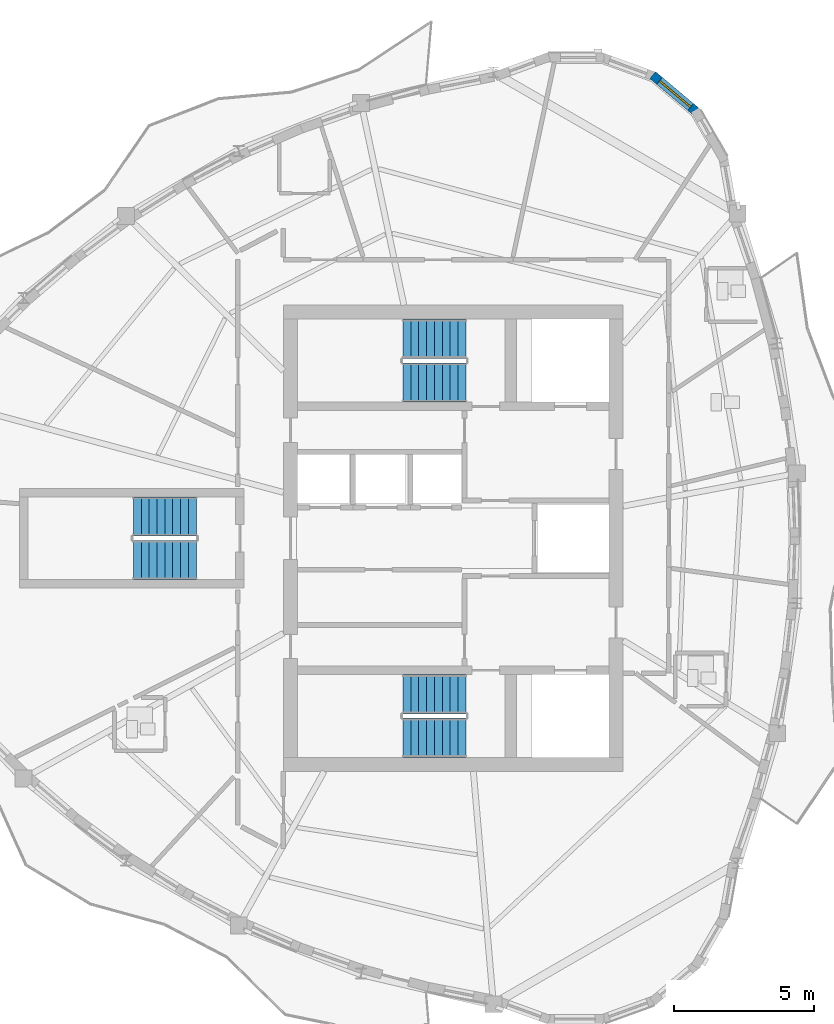
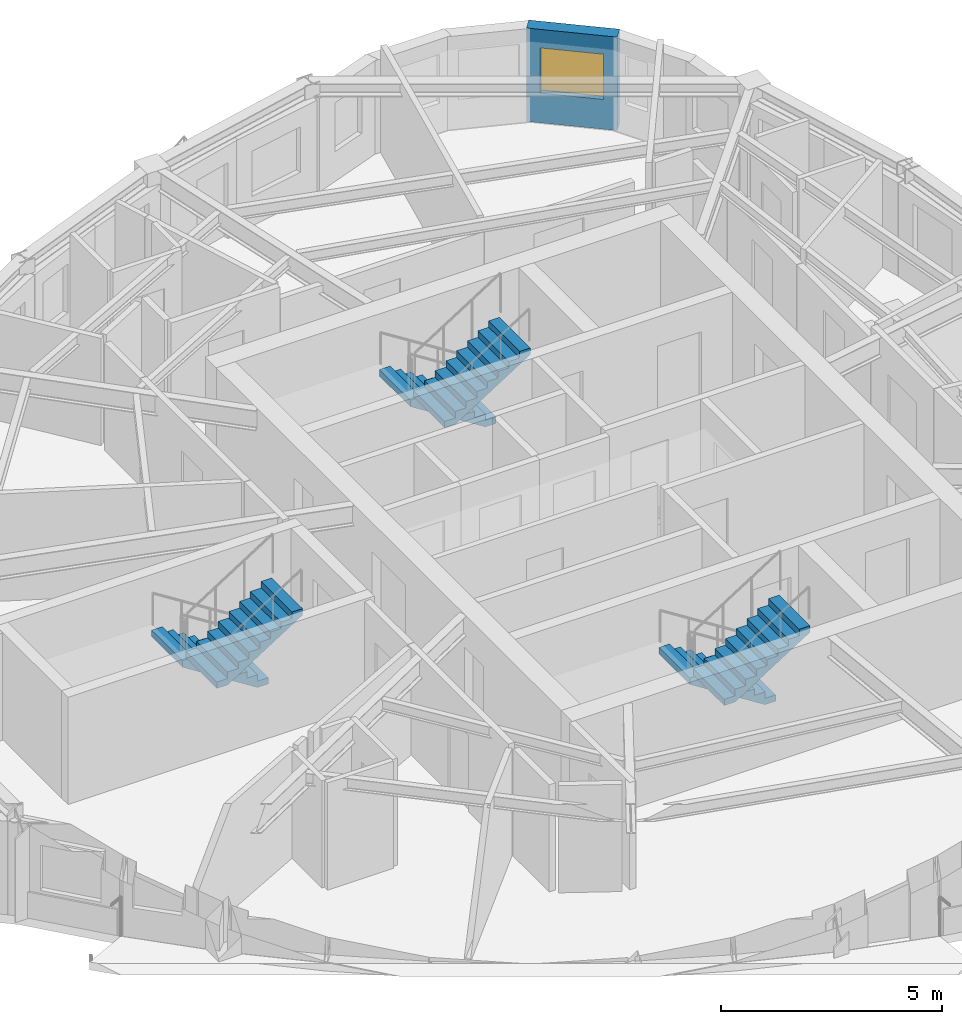
# One storey, part 8 of 12: 6 stair flights, 1 wall, 1 window, 1 opening, 3 elements without a shape of their own.
"""IFC4 building model written with IfcOpenShell, lengths in metres."""

from ifc_helpers import new_model, si_unit, direction, frame, frame_2d, origin, place, context, subcontext, project, spatial, polyline, rectangle, outline, extrude, source, transform, mapped, material, layer, layer_set, type_object, element, fill, aggregate, save


model = new_model("IFC4")

# Units and contexts
model_context = context("Model", 3, precision=1e-05, world=origin(), true_north=direction((0.0, 1.0)))
body_context = subcontext(model_context, "Body", "Model", "MODEL_VIEW")
ifc_project = project(units=[si_unit("LENGTHUNIT", "METRE"), si_unit("AREAUNIT", "SQUARE_METRE"), si_unit("VOLUMEUNIT", "CUBIC_METRE"), si_unit("PLANEANGLEUNIT", "RADIAN"), si_unit("MASSUNIT", "GRAM", prefix="KILO")], contexts=[model_context])

# Site, building, storey
site_placement = place(None, origin())
site = spatial("IfcSite", under=ifc_project, at=site_placement, CompositionType="ELEMENT")
building_placement = place(site_placement, origin())
building = spatial("IfcBuilding", under=site, at=building_placement, Name="Qafzar Sky-Pleat Residences", CompositionType="ELEMENT")
storey_placement = place(building_placement, frame((0.0, 0.0, 198.800048828125)))
storey = spatial("IfcBuildingStorey", under=building, at=storey_placement, Name="L59", CompositionType="ELEMENT", Elevation=198.800048828125)

# Wall, opening, window
ifc_material_1 = material(Name="Precast concrete C40/50 with honed Riyadh limestone", Category="concrete")
ifc_layer = layer(ifc_material_1, 0.320068359375)
ifc_layer_set = layer_set([ifc_layer], Name="Precast concrete C40/50 with honed Riyadh limestone")
wall_type = type_object("IfcWallType", Name="WALL-EXT-320", PredefinedType="SOLIDWALL", material=ifc_layer_set)
wall_placement = place(storey_placement, frame((39.04931640625, 41.1513671875, 0.0), z_axis=(0.0, 0.0, 1.0), x_axis=(-0.766082082368, 0.642742750308, 0.0)))
wall = element("IfcWall", 1, at=wall_placement, inside=storey, type_object=wall_type, Name="L59 Limestone Facade Wall 35", PredefinedType="SOLIDWALL", context=body_context, shape_type="SweptSolid", body=[
    extrude(rectangle(XDim=2.09033203125, YDim=0.320068359375, at=frame_2d((1.045166015625, 0.0))), origin(), (0.0, 0.0, 1.0), 2.579833984375),
])
opening_placement = place(wall_placement, frame((0.3203125, 0.0, 0.820068359375)))
opening = element("IfcOpeningElement", 2, at=opening_placement, cuts=wall, Name="Opening WN-15", PredefinedType="OPENING", context=body_context, shape_type="SweptSolid", body=[
    extrude(rectangle(XDim=1.449951171875, YDim=1.25, at=frame_2d((0.72509765625, 0.625))), frame((0.0, 0.169921875, 0.0), z_axis=(0.0, -1.0, 0.0), x_axis=(1.0, 0.0, 0.0)), (0.0, 0.0, 1.0), 0.340087890625),
])
ifc_material_2 = material(Name="Solar-control low-E glass in bronze aluminium frame", Category="glass")
window_type = type_object("IfcWindowType", Name="WIN-15", PartitioningType="SINGLE_PANEL", PredefinedType="WINDOW", material=ifc_material_2)
shared_shape_1 = source(origin(), body_context, "Body", "SweptSolid", [
    extrude(rectangle(XDim=1.449951171875, YDim=1.25, at=frame_2d((0.72509765625, 0.625))), frame((0.0, 0.030029296875, 0.0), z_axis=(0.0, -1.0, 0.0), x_axis=(1.0, 0.0, 0.0)), (0.0, 0.0, 1.0), 0.06005859375),
])
window_placement = place(opening_placement, origin())
window = element("IfcWindow", 3, at=window_placement, inside=storey, type_object=window_type, Name="L59 Punched Facade Window 35", OverallHeight=1.25, OverallWidth=1.449951171875, PartitioningType="SINGLE_PANEL", PredefinedType="WINDOW", context=body_context, shape_type="MappedRepresentation", body=[
    mapped(shared_shape_1, transform((0.0, 0.0, 0.0), x_axis=(1.0, 0.0, 0.0), y_axis=(0.0, 1.0, 0.0), z_axis=(0.0, 0.0, 1.0), scale=1.0)),
])
fill(opening, window)

# Stair, stair flights
ifc_material_3 = material(Name="Concrete C40/50", Category="concrete")
stair_type = type_object("IfcStairType", Name="STAIR-H320", PredefinedType="HALF_TURN_STAIR", material=ifc_material_3)
stair_1_placement = place(storey_placement, origin())
stair_1 = element("IfcStair", 4, at=stair_1_placement, inside=storey, type_object=stair_type, Name="L59 Protected Exit Stair ST1", PredefinedType="HALF_TURN_STAIR")
stair_flight_type = type_object("IfcStairFlightType", Name="FLIGHT-H320", PredefinedType="STRAIGHT", material=ifc_material_3)
shared_shape_2 = source(origin(), body_context, "Body", "SweptSolid", [
    extrude(outline(polyline([(0.0, 0.0), (0.0, 0.177734375), (0.280029296875, 0.177734375), (0.280029296875, 0.35546875), (0.56005859375, 0.35546875), (0.56005859375, 0.533447265625), (0.840087890625, 0.533447265625), (0.840087890625, 0.711181640625), (1.1201171875, 0.711181640625), (1.1201171875, 0.888916015625), (1.39990234375, 0.888916015625), (1.39990234375, 1.066650390625), (1.679931640625, 1.066650390625), (1.679931640625, 1.244384765625), (1.9599609375, 1.244384765625), (1.9599609375, 1.422119140625), (2.239990234375, 1.422119140625), (2.239990234375, 1.60009765625), (2.239990234375, 1.24462890625), (0.27978515625, 0.0), (0.0, 0.0)])), frame((0.0, 0.699951171875, 0.0), z_axis=(0.0, -1.0, 0.0), x_axis=(1.0, 0.0, 0.0)), (0.0, 0.0, 1.0), 1.39990234375),
])
stair_flight_1_placement = place(storey_placement, frame((30.800048828125, 20.449951171875, 0.0), z_axis=(0.0, 0.0, 1.0), x_axis=(-1.0, 0.0, 0.0)))
stair_flight_1 = element("IfcStairFlight", 5, at=stair_flight_1_placement, type_object=stair_flight_type, Name="ST1 flight 1", NumberOfRisers=9, NumberOfTreads=8, PredefinedType="STRAIGHT", RiserHeight=0.177777778, TreadLength=0.28, context=body_context, shape_type="MappedRepresentation", body=[
    mapped(shared_shape_2, transform((0.0, 0.0, 0.0), x_axis=(1.0, 0.0, 0.0), y_axis=(0.0, 1.0, 0.0), z_axis=(0.0, 0.0, 1.0), scale=1.0)),
])
stair_flight_2_placement = place(storey_placement, frame((28.56005859375, 18.89990234375, 1.599853515625), z_axis=(0.0, 0.0, 1.0), x_axis=(1.0, 0.0, 0.0)))
stair_flight_2 = element("IfcStairFlight", 6, at=stair_flight_2_placement, type_object=stair_flight_type, Name="ST1 flight 2", NumberOfRisers=9, NumberOfTreads=8, PredefinedType="STRAIGHT", RiserHeight=0.177777778, TreadLength=0.28, context=body_context, shape_type="MappedRepresentation", body=[
    mapped(shared_shape_2, transform((0.0, 0.0, 0.0), x_axis=(1.0, 0.0, 0.0), y_axis=(0.0, 1.0, 0.0), z_axis=(0.0, 0.0, 1.0), scale=1.0)),
])
aggregate(stair_1, [stair_flight_1, stair_flight_2])

stair_2_placement = place(storey_placement, origin())
stair_2 = element("IfcStair", 7, at=stair_2_placement, inside=storey, type_object=stair_type, Name="L59 Protected Exit Stair ST2", PredefinedType="HALF_TURN_STAIR")
stair_flight_3_placement = place(storey_placement, frame((30.800048828125, 33.10009765625, 0.0), z_axis=(0.0, 0.0, 1.0), x_axis=(-1.0, 0.0, 0.0)))
stair_flight_3 = element("IfcStairFlight", 8, at=stair_flight_3_placement, type_object=stair_flight_type, Name="ST2 flight 1", NumberOfRisers=9, NumberOfTreads=8, PredefinedType="STRAIGHT", RiserHeight=0.177777778, TreadLength=0.28, context=body_context, shape_type="MappedRepresentation", body=[
    mapped(shared_shape_2, transform((0.0, 0.0, 0.0), x_axis=(1.0, 0.0, 0.0), y_axis=(0.0, 1.0, 0.0), z_axis=(0.0, 0.0, 1.0), scale=1.0)),
])
stair_flight_4_placement = place(storey_placement, frame((28.56005859375, 31.550048828125, 1.599853515625), z_axis=(0.0, 0.0, 1.0), x_axis=(1.0, 0.0, 0.0)))
stair_flight_4 = element("IfcStairFlight", 9, at=stair_flight_4_placement, type_object=stair_flight_type, Name="ST2 flight 2", NumberOfRisers=9, NumberOfTreads=8, PredefinedType="STRAIGHT", RiserHeight=0.177777778, TreadLength=0.28, context=body_context, shape_type="MappedRepresentation", body=[
    mapped(shared_shape_2, transform((0.0, 0.0, 0.0), x_axis=(1.0, 0.0, 0.0), y_axis=(0.0, 1.0, 0.0), z_axis=(0.0, 0.0, 1.0), scale=1.0)),
])
aggregate(stair_2, [stair_flight_3, stair_flight_4])

stair_3_placement = place(storey_placement, origin())
stair_3 = element("IfcStair", 10, at=stair_3_placement, inside=storey, type_object=stair_type, Name="L59 Protected Exit Stair ST3", PredefinedType="HALF_TURN_STAIR")
stair_flight_5_placement = place(storey_placement, frame((21.199951171875, 26.77490234375, 0.0), z_axis=(0.0, 0.0, 1.0), x_axis=(-1.0, 0.0, 0.0)))
stair_flight_5 = element("IfcStairFlight", 11, at=stair_flight_5_placement, type_object=stair_flight_type, Name="ST3 flight 1", NumberOfRisers=9, NumberOfTreads=8, PredefinedType="STRAIGHT", RiserHeight=0.177777778, TreadLength=0.28, context=body_context, shape_type="MappedRepresentation", body=[
    mapped(shared_shape_2, transform((0.0, 0.0, 0.0), x_axis=(1.0, 0.0, 0.0), y_axis=(0.0, 1.0, 0.0), z_axis=(0.0, 0.0, 1.0), scale=1.0)),
])
stair_flight_6_placement = place(storey_placement, frame((18.9599609375, 25.22509765625, 1.599853515625), z_axis=(0.0, 0.0, 1.0), x_axis=(1.0, 0.0, 0.0)))
stair_flight_6 = element("IfcStairFlight", 12, at=stair_flight_6_placement, type_object=stair_flight_type, Name="ST3 flight 2", NumberOfRisers=9, NumberOfTreads=8, PredefinedType="STRAIGHT", RiserHeight=0.177777778, TreadLength=0.28, context=body_context, shape_type="MappedRepresentation", body=[
    mapped(shared_shape_2, transform((0.0, 0.0, 0.0), x_axis=(1.0, 0.0, 0.0), y_axis=(0.0, 1.0, 0.0), z_axis=(0.0, 0.0, 1.0), scale=1.0)),
])
aggregate(stair_3, [stair_flight_5, stair_flight_6])

save(model, "model.ifc")
